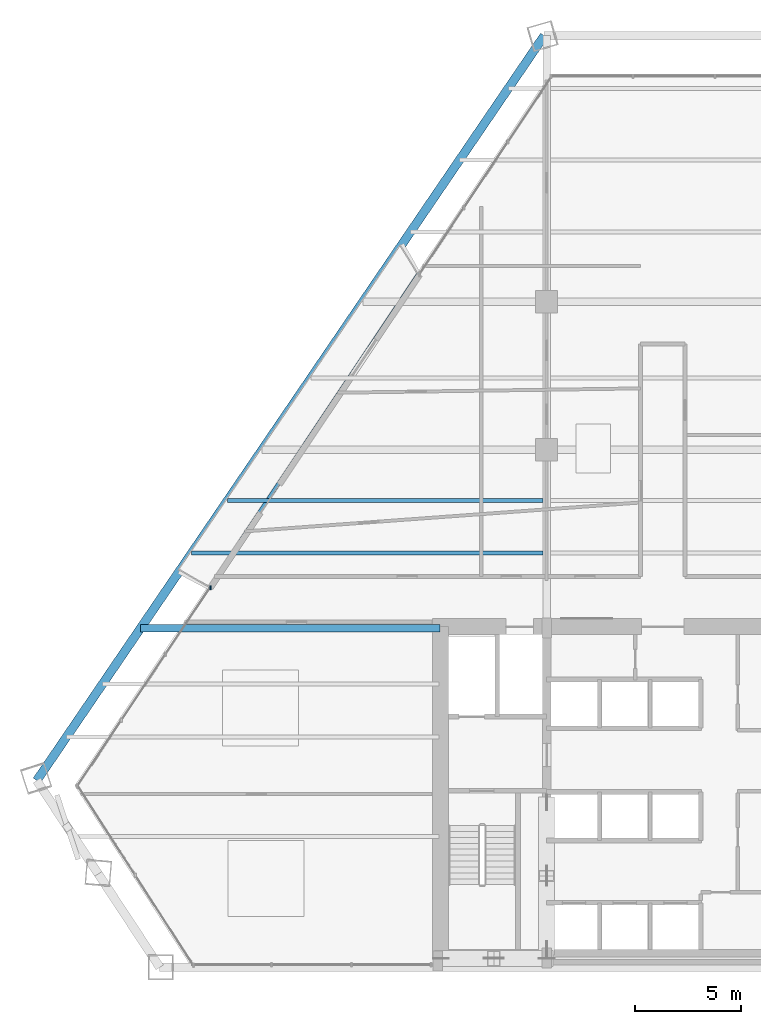
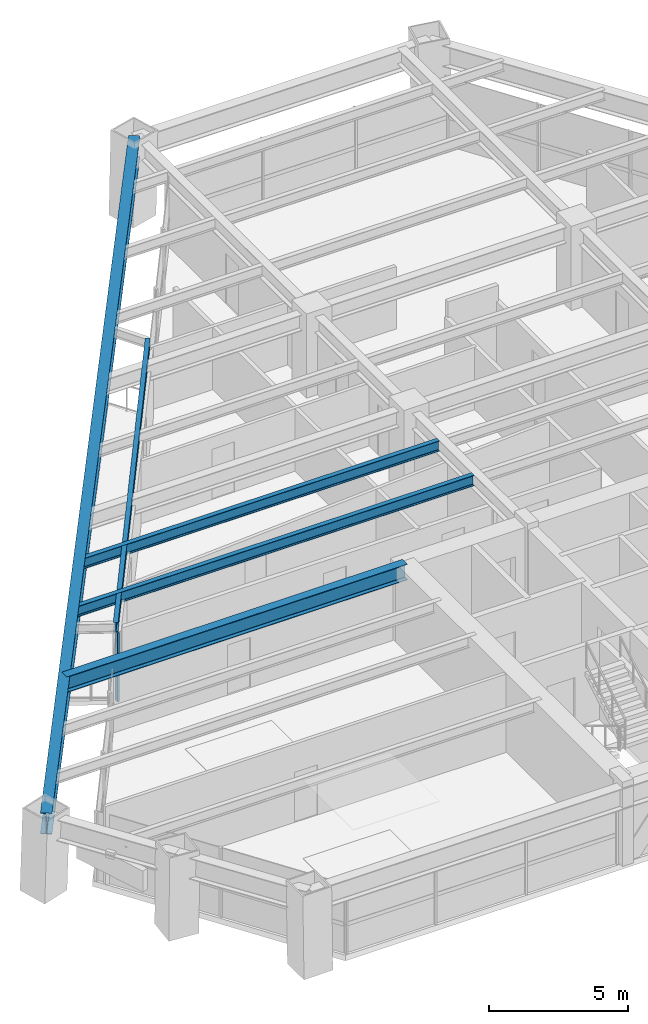
# One storey, part 4 of 14: 5 beams, 1 member, 1 element without a shape of its own.
"""IFC4 building model written with IfcOpenShell, lengths in metres."""

from ifc_helpers import new_model, si_unit, direction, frame, origin, origin_2d, place, context, subcontext, project, spatial, rectangle, i_section, extrude, source, transform, mapped, material, material_profile, profile_set, type_object, type_shapes, element, aggregate, save


model = new_model("IFC4")

# Units and contexts
model_context = context("Model", 3, precision=1e-05, world=origin(), true_north=direction((0.0, 1.0)))
body_context = subcontext(model_context, "Body", "Model", "MODEL_VIEW")
ifc_project = project(units=[si_unit("LENGTHUNIT", "METRE"), si_unit("AREAUNIT", "SQUARE_METRE"), si_unit("VOLUMEUNIT", "CUBIC_METRE"), si_unit("PLANEANGLEUNIT", "RADIAN"), si_unit("MASSUNIT", "GRAM", prefix="KILO")], contexts=[model_context])

# Site, building, storey
site_placement = place(None, origin())
site = spatial("IfcSite", under=ifc_project, at=site_placement, CompositionType="ELEMENT")
building_placement = place(site_placement, origin())
building = spatial("IfcBuilding", under=site, at=building_placement, Name="Varnakhor Terracotta Tower", CompositionType="ELEMENT")
storey_placement = place(building_placement, frame((0.0, 0.0, 106.199951171875)))
storey = spatial("IfcBuildingStorey", under=building, at=storey_placement, Name="L26", CompositionType="ELEMENT", Elevation=106.199951171875)

# Beams
ifc_material_1 = material(Name="Steel S355", Category="steel")
ifc_material_profile_1 = material_profile(ifc_material_1, i_section(OverallWidth=0.41796875, OverallDepth=0.927001953125, WebThickness=0.01904296875, FlangeThickness=0.031982421875, FilletRadius=0.01806640625, at=origin_2d()), Name="W36X231")
ifc_profile_set_1 = profile_set([ifc_material_profile_1], Name="Steel S355")
beam_type_1 = type_object("IfcBeamType", Name="BM-W36X231", PredefinedType="BEAM", material=ifc_profile_set_1)
shared_shape_1 = source(origin(), body_context, "Body", "SweptSolid", [
    extrude(i_section(OverallWidth=0.41796875, OverallDepth=0.927001953125, WebThickness=0.01904296875, FlangeThickness=0.031982421875, FilletRadius=0.01806640625, at=origin_2d()), origin(), (0.0, 0.0, 1.0), 42.654052734375),
])
beam_1_placement = place(storey_placement, frame((-5.615478515625, 44.09326171875, 2.986572265625), z_axis=(-0.563003058706, -0.826454811764, 0.0), x_axis=(0.826454811764, -0.563003058706, 0.0)))
element("IfcBeam", 1, at=beam_1_placement, inside=storey, type_object=beam_type_1, Name="L26 Perimeter Spandrel 6", PredefinedType="BEAM", context=body_context, shape_type="MappedRepresentation", body=[
    mapped(shared_shape_1, transform((0.0, 0.0, 0.0), scale=1.0)),
])
ifc_material_profile_2 = material_profile(ifc_material_1, i_section(OverallWidth=0.179931640625, OverallDepth=0.39990234375, WebThickness=0.008544921875, FlangeThickness=0.013427734375, FilletRadius=0.01806640625, at=origin_2d()), Name="IPE400")
ifc_profile_set_2 = profile_set([ifc_material_profile_2], Name="Steel S355")
beam_type_2 = type_object("IfcBeamType", Name="JST-IPE400", PredefinedType="JOIST", material=ifc_profile_set_2)
shared_shape_2 = source(origin(), body_context, "Body", "SweptSolid", [
    extrude(i_section(OverallWidth=0.179931640625, OverallDepth=0.39990234375, WebThickness=0.008544921875, FlangeThickness=0.013427734375, FilletRadius=0.01806640625, at=origin_2d()), origin(), (0.0, 0.0, 1.0), 17.89013671875),
])
beam_2_placement = place(storey_placement, frame((-11.5537109375, 32.8408203125, 3.25), z_axis=(-0.554788371061, -0.831991504365, 0.0), x_axis=(0.831991504365, -0.554788371061, 0.0)))
element("IfcBeam", 2, at=beam_2_placement, inside=storey, type_object=beam_type_2, Name="L26 Loggia Edge Beam 2", PredefinedType="JOIST", context=body_context, shape_type="MappedRepresentation", body=[
    mapped(shared_shape_2, transform((0.0, 0.0, 0.0), scale=1.0)),
])
ifc_material_profile_3 = material_profile(ifc_material_1, i_section(OverallWidth=0.35498046875, OverallDepth=0.695068359375, WebThickness=0.014892578125, FlangeThickness=0.02490234375, FilletRadius=0.01806640625, at=origin_2d()), Name="W27X146")
ifc_profile_set_3 = profile_set([ifc_material_profile_3], Name="Steel S355")
beam_type_3 = type_object("IfcBeamType", Name="BM-W27X146", PredefinedType="BEAM", material=ifc_profile_set_3)
shared_shape_3 = source(origin(), body_context, "Body", "SweptSolid", [
    extrude(i_section(OverallWidth=0.35498046875, OverallDepth=0.695068359375, WebThickness=0.014892578125, FlangeThickness=0.02490234375, FilletRadius=0.01806640625, at=origin_2d()), origin(), (0.0, 0.0, 1.0), 14.16943359375),
])
beam_3_placement = place(storey_placement, frame((-24.719482421875, 16.050048828125, 3.1025390625), z_axis=(1.0, 0.0, 0.0), x_axis=(0.0, 1.0, 0.0)))
element("IfcBeam", 3, at=beam_3_placement, inside=storey, type_object=beam_type_3, Name="L26 Wing Girder W", PredefinedType="BEAM", context=body_context, shape_type="MappedRepresentation", body=[
    mapped(shared_shape_3, transform((0.0, 0.0, 0.0), scale=1.0)),
])
ifc_material_profile_4 = material_profile(ifc_material_1, i_section(OverallWidth=0.19189453125, OverallDepth=0.462890625, WebThickness=0.010498046875, FlangeThickness=0.017578125, FilletRadius=0.01806640625, at=origin_2d()), Name="W18X60")
ifc_profile_set_4 = profile_set([ifc_material_profile_4], Name="Steel S355")
beam_type_4 = type_object("IfcBeamType", Name="JST-W18X60", PredefinedType="JOIST", material=ifc_profile_set_4)
shared_shape_4 = source(origin(), body_context, "Body", "SweptSolid", [
    extrude(i_section(OverallWidth=0.19189453125, OverallDepth=0.462890625, WebThickness=0.010498046875, FlangeThickness=0.017578125, FilletRadius=0.01806640625, at=origin_2d()), origin(), (0.0, 0.0, 1.0), 16.62744140625),
])
beam_4_placement = place(storey_placement, frame((-22.301025390625, 19.60009765625, 3.218505859375), z_axis=(1.0, 0.0, 0.0), x_axis=(0.0, 1.0, 0.0)))
element("IfcBeam", 4, at=beam_4_placement, inside=storey, type_object=beam_type_4, Name="L26 Composite Floor Joist 4-1", PredefinedType="JOIST", context=body_context, shape_type="MappedRepresentation", body=[
    mapped(shared_shape_4, transform((0.0, 0.0, 0.0), scale=1.0)),
])
shared_shape_5 = source(origin(), body_context, "Body", "SweptSolid", [
    extrude(i_section(OverallWidth=0.19189453125, OverallDepth=0.462890625, WebThickness=0.010498046875, FlangeThickness=0.017578125, FilletRadius=0.01806640625, at=origin_2d()), origin(), (0.0, 0.0, 1.0), 14.92431640625),
])
beam_5_placement = place(storey_placement, frame((-20.597900390625, 22.10009765625, 3.218505859375), z_axis=(1.0, 0.0, 0.0), x_axis=(0.0, 1.0, 0.0)))
element("IfcBeam", 5, at=beam_5_placement, inside=storey, type_object=beam_type_4, Name="L26 Composite Floor Joist 5-1", PredefinedType="JOIST", context=body_context, shape_type="MappedRepresentation", body=[
    mapped(shared_shape_5, transform((0.0, 0.0, 0.0), scale=1.0)),
])

# Curtain wall, member
ifc_material_2 = material(Name="Anodised Aluminium Curtain Wall System", Category="aluminium")
curtain_wall_type = type_object("IfcCurtainWallType", Name="CW-SYS-LOW-OFFICE", PredefinedType="NOTDEFINED", material=ifc_material_2)
curtain_wall_placement = place(storey_placement, origin())
curtain_wall = element("IfcCurtainWall", 6, at=curtain_wall_placement, inside=storey, type_object=curtain_wall_type, Name="L26 W Facet Curtain Wall 1", PredefinedType="NOTDEFINED")
ifc_material_3 = material(Name="Anodised Aluminium 6063-T6", Category="aluminium")
ifc_material_profile_5 = material_profile(ifc_material_3, rectangle(XDim=0.074951171875, YDim=0.18505859375, at=origin_2d()), Name="ALU MULLION 75x185")
ifc_profile_set_5 = profile_set([ifc_material_profile_5], Name="Anodised Aluminium 6063-T6")
member_type = type_object("IfcMemberType", Name="CWM-02", PredefinedType="MULLION", material=ifc_profile_set_5)
shared_shape_6 = source(origin(), body_context, "Body", "SweptSolid", [
    extrude(rectangle(XDim=0.074951171875, YDim=0.18505859375, at=origin_2d()), origin(), (0.0, 0.0, 1.0), 3.030029296875),
])
type_shapes(member_type, [shared_shape_6])
member_placement = place(storey_placement, frame((-21.418212890625, 17.958251953125, 0.0), z_axis=(0.0, 0.0, 1.0), x_axis=(1.0, 0.0, 0.0)))
member = element("IfcMember", 7, at=member_placement, type_object=member_type, Name="L26 W Loggia Jamb Closure Mullion 1", PredefinedType="MULLION", context=body_context, shape_type="MappedRepresentation", body=[
    mapped(shared_shape_6, transform((0.0, 0.0, 0.0), scale=1.0)),
])
aggregate(curtain_wall, [member])

save(model, "model.ifc")
